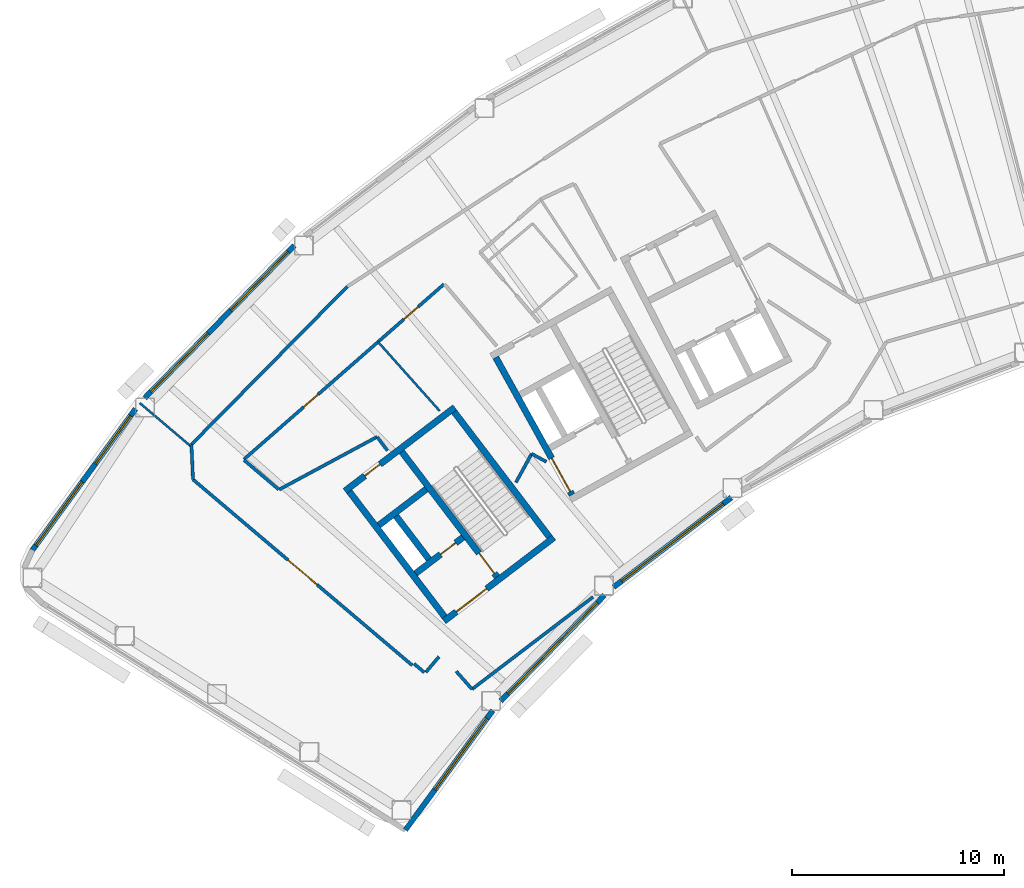
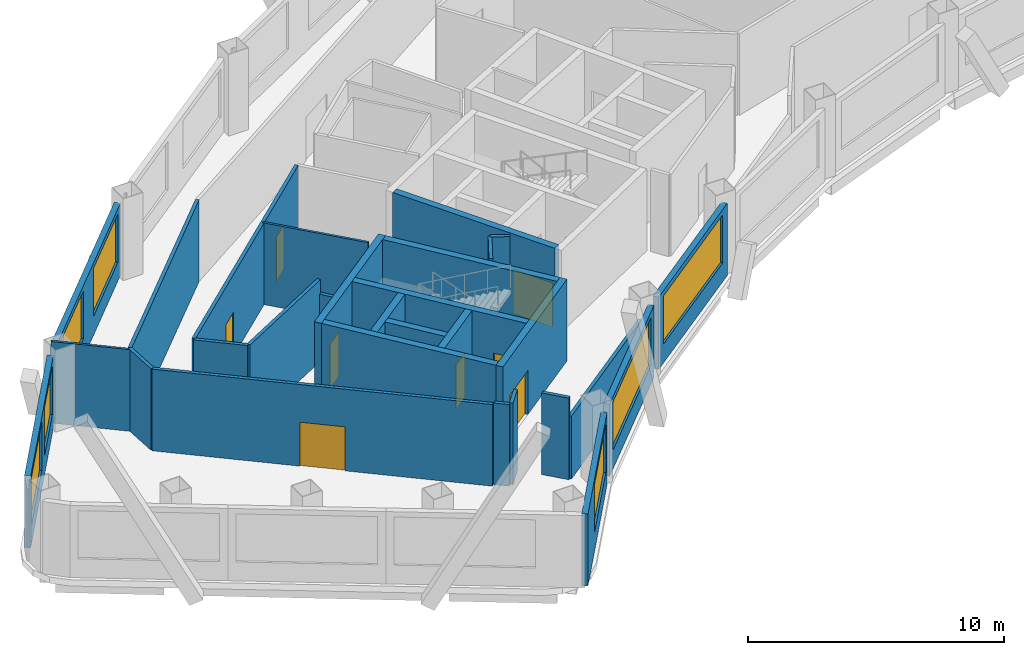
# One storey, part 5 of 14: 29 walls, 8 doors, 7 windows, 15 openings.
"""IFC4 building model written with IfcOpenShell, lengths in metres."""

from ifc_helpers import new_model, si_unit, direction, frame, frame_2d, origin, place, context, subcontext, project, spatial, rectangle, extrude, material, layer, layer_set, type_object, element, fill, save


model = new_model("IFC4")

# Units and contexts
model_context = context("Model", 3, precision=1e-05, world=origin(), true_north=direction((0.0, 1.0)))
body_context = subcontext(model_context, "Body", "Model", "MODEL_VIEW")
ifc_project = project(units=[si_unit("LENGTHUNIT", "METRE"), si_unit("AREAUNIT", "SQUARE_METRE"), si_unit("VOLUMEUNIT", "CUBIC_METRE"), si_unit("PLANEANGLEUNIT", "RADIAN"), si_unit("MASSUNIT", "GRAM", prefix="KILO")], contexts=[model_context])

# Site, building, storey
site_placement = place(None, origin())
site = spatial("IfcSite", under=ifc_project, at=site_placement, CompositionType="ELEMENT")
building_placement = place(site_placement, origin())
building = spatial("IfcBuilding", under=site, at=building_placement, Name="Tuul Gate Civic Tower", CompositionType="ELEMENT")
storey_placement = place(building_placement, frame((0.0, 0.0, 217.89990234375)))
storey = spatial("IfcBuildingStorey", under=building, at=storey_placement, Name="Level 49", CompositionType="ELEMENT", Elevation=217.89990234375)

# Wall, opening, door
ifc_material_1 = material(Name="Concrete C50/60", Category="concrete")
ifc_layer_1 = layer(ifc_material_1, 0.300048828125)
ifc_layer_set_1 = layer_set([ifc_layer_1], Name="Concrete C50/60")
wall_type_1 = type_object("IfcWallType", Name="Core wall C50/60", PredefinedType="SHEAR", material=ifc_layer_set_1)
wall_1_placement = place(storey_placement, frame((-31.19091796875, -13.669677734375, 0.0), z_axis=(0.0, 0.0, 1.0), x_axis=(-0.795606717756, -0.605813461934, 0.0)))
wall_1 = element("IfcWall", 1, at=wall_1_placement, inside=storey, type_object=wall_type_1, Name="Core wall", PredefinedType="SHEAR", context=body_context, shape_type="SweptSolid", body=[
    extrude(rectangle(XDim=6.5, YDim=0.300048828125, at=frame_2d((3.25, 0.0))), origin(), (0.0, 0.0, 1.0), 3.900146484375),
])
opening_1_placement = place(wall_1_placement, frame((3.97509765625, 0.0, 0.0)))
opening_1 = element("IfcOpeningElement", 2, at=opening_1_placement, cuts=wall_1, Name="Opening LB-W1-LOBBY-1", PredefinedType="OPENING", context=body_context, shape_type="SweptSolid", body=[
    extrude(rectangle(XDim=1.800048828125, YDim=2.10009765625, at=frame_2d((0.89990234375, 1.050048828125))), frame((0.0, 0.16015625, 0.0), z_axis=(0.0, -1.0, 0.0), x_axis=(1.0, 0.0, 0.0)), (0.0, 0.0, 1.0), 0.320068359375),
])
ifc_material_2 = material(Name="Steel", Category="steel")
door_type_1 = type_object("IfcDoorType", Name="Lobby door", OperationType="DOUBLE_DOOR_SINGLE_SWING", PredefinedType="DOOR", material=ifc_material_2)
door_1_placement = place(opening_1_placement, origin())
door_1 = element("IfcDoor", 3, at=door_1_placement, inside=storey, type_object=door_type_1, Name="Lobby door W1-LOBBY", OperationType="DOUBLE_DOOR_SINGLE_SWING", OverallHeight=2.10009765625, OverallWidth=1.800048828125, PredefinedType="DOOR", context=body_context, shape_type="SweptSolid", body=[
    extrude(rectangle(XDim=1.800048828125, YDim=2.10009765625, at=frame_2d((0.89990234375, 1.050048828125))), frame((0.0, 0.02490234375, 0.0), z_axis=(0.0, -1.0, 0.0), x_axis=(1.0, 0.0, 0.0)), (0.0, 0.0, 1.0), 0.050048828125),
])
fill(opening_1, door_1)

wall_2_placement = place(storey_placement, frame((-35.470947265625, -13.66064453125, 0.0), z_axis=(0.0, 0.0, 1.0), x_axis=(-0.795615822227, -0.605801504968, 0.0)))
wall_2 = element("IfcWall", 4, at=wall_2_placement, inside=storey, type_object=wall_type_1, Name="Core wall", PredefinedType="SHEAR", context=body_context, shape_type="SweptSolid", body=[
    extrude(rectangle(XDim=2.800048828125, YDim=0.300048828125, at=frame_2d((1.39990234375, 0.0))), origin(), (0.0, 0.0, 1.0), 3.900146484375),
])
opening_2_placement = place(wall_2_placement, frame((0.425048828125, 0.0, 0.0)))
opening_2 = element("IfcOpeningElement", 5, at=opening_2_placement, cuts=wall_2, Name="Opening FB-W1A1", PredefinedType="OPENING", context=body_context, shape_type="SweptSolid", body=[
    extrude(rectangle(XDim=0.89990234375, YDim=2.10009765625, at=frame_2d((0.449951171875, 1.050048828125))), frame((0.0, 0.16015625, 0.0), z_axis=(0.0, -1.0, 0.0), x_axis=(1.0, 0.0, 0.0)), (0.0, 0.0, 1.0), 0.320068359375),
])
ifc_material_3 = material(Name="Steel", Category="steel")
door_type_2 = type_object("IfcDoorType", Name="Store door", OperationType="NOTDEFINED", PredefinedType="DOOR", material=ifc_material_3)
door_2_placement = place(opening_2_placement, frame((0.89990234375, 0.0, 0.0), z_axis=(0.0, 0.0, 1.0), x_axis=(-1.0, 0.0, 0.0)))
door_2 = element("IfcDoor", 6, at=door_2_placement, inside=storey, type_object=door_type_2, Name="Store door W1A1", OperationType="SINGLE_SWING_RIGHT", OverallHeight=2.10009765625, OverallWidth=0.89990234375, PredefinedType="DOOR", context=body_context, shape_type="SweptSolid", body=[
    extrude(rectangle(XDim=0.89990234375, YDim=2.10009765625, at=frame_2d((0.449951171875, 1.050048828125))), frame((0.0, 0.02490234375, 0.0), z_axis=(0.0, -1.0, 0.0), x_axis=(1.0, 0.0, 0.0)), (0.0, 0.0, 1.0), 0.050048828125),
])
fill(opening_2, door_2)

# Wall
wall_3_placement = place(storey_placement, frame((-37.197509765625, -11.39306640625, 0.0), z_axis=(0.0, 0.0, 1.0), x_axis=(-0.795583820278, -0.605843531707, 0.0)))
element("IfcWall", 7, at=wall_3_placement, inside=storey, type_object=wall_type_1, Name="Core wall", PredefinedType="SHEAR", context=body_context, shape_type="SweptSolid", body=[
    extrude(rectangle(XDim=2.7998046875, YDim=0.300048828125, at=frame_2d((1.39990234375, 0.0))), origin(), (0.0, 0.0, 1.0), 3.900146484375),
])

# Wall, opening, door
wall_4_placement = place(storey_placement, frame((-35.855224609375, -7.543212890625, 0.0), z_axis=(0.0, 0.0, 1.0), x_axis=(-0.79563860527, -0.605771582202, 0.0)))
wall_4 = element("IfcWall", 8, at=wall_4_placement, inside=storey, type_object=wall_type_1, Name="Core wall", PredefinedType="SHEAR", context=body_context, shape_type="SweptSolid", body=[
    extrude(rectangle(XDim=6.5, YDim=0.300048828125, at=frame_2d((3.25, 0.0))), origin(), (0.0, 0.0, 1.0), 3.900146484375),
])
opening_3_placement = place(wall_4_placement, frame((4.425048828125, 0.0, 0.0)))
opening_3 = element("IfcOpeningElement", 9, at=opening_3_placement, cuts=wall_4, Name="Opening R-D43", PredefinedType="OPENING", context=body_context, shape_type="SweptSolid", body=[
    extrude(rectangle(XDim=0.89990234375, YDim=2.10009765625, at=frame_2d((0.449951171875, 1.050048828125))), frame((0.0, 0.16015625, 0.0), z_axis=(0.0, -1.0, 0.0), x_axis=(1.0, 0.0, 0.0)), (0.0, 0.0, 1.0), 0.320068359375),
])
ifc_material_4 = material(Name="Timber door leaf", Category="wood")
door_type_3 = type_object("IfcDoorType", Name="Door D09", OperationType="NOTDEFINED", PredefinedType="DOOR", material=ifc_material_4)
door_3_placement = place(opening_3_placement, origin())
door_3 = element("IfcDoor", 10, at=door_3_placement, inside=storey, type_object=door_type_3, Name="Door R-D43", OperationType="SINGLE_SWING_LEFT", OverallHeight=2.10009765625, OverallWidth=0.89990234375, PredefinedType="DOOR", context=body_context, shape_type="SweptSolid", body=[
    extrude(rectangle(XDim=0.89990234375, YDim=2.10009765625, at=frame_2d((0.449951171875, 1.050048828125))), frame((0.0, 0.02490234375, 0.0), z_axis=(0.0, -1.0, 0.0), x_axis=(1.0, 0.0, 0.0)), (0.0, 0.0, 1.0), 0.050048828125),
])
fill(opening_3, door_3)

# Wall
wall_5_placement = place(storey_placement, frame((-31.401123046875, -13.64111328125, 0.0), z_axis=(0.0, 0.0, 1.0), x_axis=(-0.605769822278, 0.795639945213, 0.0)))
element("IfcWall", 11, at=wall_5_placement, inside=storey, type_object=wall_type_1, Name="Core wall", PredefinedType="SHEAR", context=body_context, shape_type="SweptSolid", body=[
    extrude(rectangle(XDim=7.39990234375, YDim=0.300048828125, at=frame_2d((3.699951171875, 0.0))), origin(), (0.0, 0.0, 1.0), 3.900146484375),
])

# Wall, opening, door
wall_6_placement = place(storey_placement, frame((-33.867431640625, -15.51904296875, 0.0), z_axis=(0.0, 0.0, 1.0), x_axis=(-0.605769822278, 0.795639945213, 0.0)))
wall_6 = element("IfcWall", 12, at=wall_6_placement, inside=storey, type_object=wall_type_1, Name="Core wall", PredefinedType="SHEAR", context=body_context, shape_type="SweptSolid", body=[
    extrude(rectangle(XDim=7.39990234375, YDim=0.300048828125, at=frame_2d((3.699951171875, 0.0))), origin(), (0.0, 0.0, 1.0), 3.900146484375),
])
opening_4_placement = place(wall_6_placement, frame((0.199951171875, 0.0, 0.0)))
opening_4 = element("IfcOpeningElement", 13, at=opening_4_placement, cuts=wall_6, Name="Opening SD-ST-1", PredefinedType="OPENING", context=body_context, shape_type="SweptSolid", body=[
    extrude(rectangle(XDim=1.199951171875, YDim=2.10009765625, at=frame_2d((0.60009765625, 1.050048828125))), frame((0.0, 0.16015625, 0.0), z_axis=(0.0, -1.0, 0.0), x_axis=(1.0, 0.0, 0.0)), (0.0, 0.0, 1.0), 0.320068359375),
])
ifc_material_5 = material(Name="Steel", Category="steel")
door_type_4 = type_object("IfcDoorType", Name="Stair door", OperationType="NOTDEFINED", PredefinedType="DOOR", material=ifc_material_5)
door_4_placement = place(opening_4_placement, origin())
door_4 = element("IfcDoor", 14, at=door_4_placement, inside=storey, type_object=door_type_4, Name="Stair door ST-1", OperationType="SINGLE_SWING_LEFT", OverallHeight=2.10009765625, OverallWidth=1.199951171875, PredefinedType="DOOR", context=body_context, shape_type="SweptSolid", body=[
    extrude(rectangle(XDim=1.199951171875, YDim=2.10009765625, at=frame_2d((0.60009765625, 1.050048828125))), frame((0.0, 0.02490234375, 0.0), z_axis=(0.0, -1.0, 0.0), x_axis=(1.0, 0.0, 0.0)), (0.0, 0.0, 1.0), 0.050048828125),
])
fill(opening_4, door_4)

# Walls
wall_7_placement = place(storey_placement, frame((-37.073486328125, -14.6923828125, 0.0), z_axis=(0.0, 0.0, 1.0), x_axis=(-0.605728760074, 0.79567120673, 0.0)))
element("IfcWall", 15, at=wall_7_placement, inside=storey, type_object=wall_type_1, Name="Core wall", PredefinedType="SHEAR", context=body_context, shape_type="SweptSolid", body=[
    extrude(rectangle(XDim=2.550048828125, YDim=0.300048828125, at=frame_2d((1.27490234375, 0.0))), origin(), (0.0, 0.0, 1.0), 3.900146484375),
])
wall_8_placement = place(storey_placement, frame((-36.333984375, -17.397216796875, 0.0), z_axis=(0.0, 0.0, 1.0), x_axis=(-0.605753921168, 0.795652051458, 0.0)))
element("IfcWall", 16, at=wall_8_placement, inside=storey, type_object=wall_type_1, Name="Core wall", PredefinedType="SHEAR", context=body_context, shape_type="SweptSolid", body=[
    extrude(rectangle(XDim=7.400146484375, YDim=0.300048828125, at=frame_2d((3.7001953125, 0.0))), origin(), (0.0, 0.0, 1.0), 3.900146484375),
])

# Wall, opening, door
wall_9_placement = place(storey_placement, frame((-30.33837890625, -11.6630859375, 0.0), z_axis=(0.0, 0.0, 1.0), x_axis=(-0.484751894226, 0.874651702704, 0.0)))
wall_9 = element("IfcWall", 17, at=wall_9_placement, inside=storey, type_object=wall_type_1, Name="Core wall", PredefinedType="SHEAR", context=body_context, shape_type="SweptSolid", body=[
    extrude(rectangle(XDim=7.39990234375, YDim=0.300048828125, at=frame_2d((3.699951171875, 0.0))), origin(), (0.0, 0.0, 1.0), 3.900146484375),
])
opening_5_placement = place(wall_9_placement, frame((0.175048828125, 0.0, 0.0)))
opening_5 = element("IfcOpeningElement", 18, at=opening_5_placement, cuts=wall_9, Name="Opening LB-W2-FLOBBY-1", PredefinedType="OPENING", context=body_context, shape_type="SweptSolid", body=[
    extrude(rectangle(XDim=1.800048828125, YDim=2.10009765625, at=frame_2d((0.89990234375, 1.050048828125))), frame((0.0, 0.16015625, 0.0), z_axis=(0.0, -1.0, 0.0), x_axis=(1.0, 0.0, 0.0)), (0.0, 0.0, 1.0), 0.320068359375),
])
door_5_placement = place(opening_5_placement, frame((1.800048828125, 0.0, 0.0), z_axis=(0.0, 0.0, 1.0), x_axis=(-1.0, 0.0, 0.0)))
door_5 = element("IfcDoor", 19, at=door_5_placement, inside=storey, type_object=door_type_1, Name="Lobby door W2-FLOBBY", OperationType="DOUBLE_DOOR_SINGLE_SWING", OverallHeight=2.10009765625, OverallWidth=1.800048828125, PredefinedType="DOOR", context=body_context, shape_type="SweptSolid", body=[
    extrude(rectangle(XDim=1.800048828125, YDim=2.10009765625, at=frame_2d((0.900146484375, 1.050048828125))), frame((0.0, 0.02490234375, 0.0), z_axis=(0.0, -1.0, 0.0), x_axis=(1.0, 0.0, 0.0)), (0.0, 0.0, 1.0), 0.050048828125),
])
fill(opening_5, door_5)

# Walls
ifc_material_6 = material(Name="Gypsum board partition")
ifc_layer_2 = layer(ifc_material_6, 0.14990234375)
ifc_layer_set_2 = layer_set([ifc_layer_2], Name="Gypsum board partition")
wall_type_2 = type_object("IfcWallType", Name="Corridor wall P150", PredefinedType="PARTITIONING", material=ifc_layer_set_2)
wall_10_placement = place(storey_placement, frame((-48.25, -9.288330078125, 0.0), z_axis=(0.0, 0.0, 1.0), x_axis=(0.044380927641, -0.999014681204, 0.0)))
element("IfcWall", 20, at=wall_10_placement, inside=storey, type_object=wall_type_2, Name="p016", PredefinedType="PARTITIONING", context=body_context, shape_type="SweptSolid", body=[
    extrude(rectangle(XDim=1.650390625, YDim=0.14990234375, at=frame_2d((0.8251953125, 0.0))), origin(), (0.0, 0.0, 1.0), 3.900146484375),
])
wall_11_placement = place(storey_placement, frame((-48.25, -9.288330078125, 0.0), z_axis=(0.0, 0.0, 1.0), x_axis=(0.702545510934, 0.711638816442, 0.0)))
element("IfcWall", 21, at=wall_11_placement, inside=storey, type_object=wall_type_2, Name="p017", PredefinedType="PARTITIONING", context=body_context, shape_type="SweptSolid", body=[
    extrude(rectangle(XDim=10.444091796875, YDim=0.14990234375, at=frame_2d((5.22216796875, 0.0))), origin(), (0.0, 0.0, 1.0), 3.900146484375),
])

# Wall, opening, door
wall_12_placement = place(storey_placement, frame((-48.1767578125, -10.93701171875, 0.0), z_axis=(0.0, 0.0, 1.0), x_axis=(0.762830456402, -0.646598557673, 0.0)))
wall_12 = element("IfcWall", 22, at=wall_12_placement, inside=storey, type_object=wall_type_2, Name="p018", PredefinedType="PARTITIONING", context=body_context, shape_type="SweptSolid", body=[
    extrude(rectangle(XDim=13.535400390625, YDim=0.14990234375, at=frame_2d((6.767578125, 0.0))), origin(), (0.0, 0.0, 1.0), 3.900146484375),
])
opening_6_placement = place(wall_12_placement, frame((5.86767578125, 0.0, 0.0)))
opening_6 = element("IfcOpeningElement", 23, at=opening_6_placement, cuts=wall_12, Name="Opening R-D06", PredefinedType="OPENING", context=body_context, shape_type="SweptSolid", body=[
    extrude(rectangle(XDim=1.800048828125, YDim=2.10009765625, at=frame_2d((0.89990234375, 1.050048828125))), frame((0.0, 0.0849609375, 0.0), z_axis=(0.0, -1.0, 0.0), x_axis=(1.0, 0.0, 0.0)), (0.0, 0.0, 1.0), 0.169921875),
])
ifc_material_7 = material(Name="Timber door leaf, double", Category="wood")
door_type_5 = type_object("IfcDoorType", Name="Door D18", OperationType="DOUBLE_DOOR_SINGLE_SWING", PredefinedType="DOOR", material=ifc_material_7)
door_6_placement = place(opening_6_placement, frame((1.800048828125, 0.0, 0.0), z_axis=(0.0, 0.0, 1.0), x_axis=(-1.0, 0.0, 0.0)))
door_6 = element("IfcDoor", 24, at=door_6_placement, inside=storey, type_object=door_type_5, Name="Door R-D06", OperationType="DOUBLE_DOOR_SINGLE_SWING", OverallHeight=2.10009765625, OverallWidth=1.800048828125, PredefinedType="DOOR", context=body_context, shape_type="SweptSolid", body=[
    extrude(rectangle(XDim=1.800048828125, YDim=2.10009765625, at=frame_2d((0.900146484375, 1.050048828125))), frame((0.0, 0.02490234375, 0.0), z_axis=(0.0, -1.0, 0.0), x_axis=(1.0, 0.0, 0.0)), (0.0, 0.0, 1.0), 0.050048828125),
])
fill(opening_6, door_6)

# Walls
wall_13_placement = place(storey_placement, frame((-37.766845703125, -19.61376953125, 0.0), z_axis=(0.0, 0.0, 1.0), x_axis=(0.763430719957, -0.645889724199, 0.0)))
element("IfcWall", 25, at=wall_13_placement, inside=storey, type_object=wall_type_2, Name="p019", PredefinedType="PARTITIONING", context=body_context, shape_type="SweptSolid", body=[
    extrude(rectangle(XDim=0.625244140625, YDim=0.14990234375, at=frame_2d((0.3125, 0.0))), origin(), (0.0, 0.0, 1.0), 3.900146484375),
])
wall_14_placement = place(storey_placement, frame((-37.218994140625, -20.011962890625, 0.0), z_axis=(0.0, 0.0, 1.0), x_axis=(0.646624288819, 0.762808645146, 0.0)))
element("IfcWall", 26, at=wall_14_placement, inside=storey, type_object=wall_type_2, Name="p020", PredefinedType="PARTITIONING", context=body_context, shape_type="SweptSolid", body=[
    extrude(rectangle(XDim=0.96240234375, YDim=0.14990234375, at=frame_2d((0.481201171875, 0.0))), origin(), (0.0, 0.0, 1.0), 3.900146484375),
])
wall_15_placement = place(storey_placement, frame((-35.78564453125, -19.965087890625, 0.0), z_axis=(0.0, 0.0, 1.0), x_axis=(0.661219615112, -0.750192389052, 0.0)))
element("IfcWall", 27, at=wall_15_placement, inside=storey, type_object=wall_type_2, Name="p021", PredefinedType="PARTITIONING", context=body_context, shape_type="SweptSolid", body=[
    extrude(rectangle(XDim=1.125, YDim=0.14990234375, at=frame_2d((0.5625, 0.0))), origin(), (0.0, 0.0, 1.0), 3.900146484375),
])

# Wall, openings, doors
wall_16_placement = place(storey_placement, frame((-45.7783203125, -9.98974609375, 0.0), z_axis=(0.0, 0.0, 1.0), x_axis=(0.752261162007, 0.65886504243, 0.0)))
wall_16 = element("IfcWall", 28, at=wall_16_placement, inside=storey, type_object=wall_type_2, Name="p090", PredefinedType="PARTITIONING", context=body_context, shape_type="SweptSolid", body=[
    extrude(rectangle(XDim=12.513427734375, YDim=0.14990234375, at=frame_2d((6.2568359375, 0.0))), origin(), (0.0, 0.0, 1.0), 3.900146484375),
])
opening_7_placement = place(wall_16_placement, frame((10.002685546875, 0.0, 0.0)))
opening_7 = element("IfcOpeningElement", 29, at=opening_7_placement, cuts=wall_16, Name="Opening R-D36", PredefinedType="OPENING", context=body_context, shape_type="SweptSolid", body=[
    extrude(rectangle(XDim=0.89990234375, YDim=2.10009765625, at=frame_2d((0.449951171875, 1.050048828125))), frame((0.0, 0.0849609375, 0.0), z_axis=(0.0, -1.0, 0.0), x_axis=(1.0, 0.0, 0.0)), (0.0, 0.0, 1.0), 0.169921875),
])
opening_8_placement = place(wall_16_placement, frame((3.745849609375, 0.0, 0.0)))
opening_8 = element("IfcOpeningElement", 30, at=opening_8_placement, cuts=wall_16, Name="Opening R-D37", PredefinedType="OPENING", context=body_context, shape_type="SweptSolid", body=[
    extrude(rectangle(XDim=0.89990234375, YDim=2.10009765625, at=frame_2d((0.449951171875, 1.050048828125))), frame((0.0, 0.0849609375, 0.0), z_axis=(0.0, -1.0, 0.0), x_axis=(1.0, 0.0, 0.0)), (0.0, 0.0, 1.0), 0.169921875),
])
door_7_placement = place(opening_7_placement, frame((0.89990234375, 0.0, 0.0), z_axis=(0.0, 0.0, 1.0), x_axis=(-1.0, 0.0, 0.0)))
door_7 = element("IfcDoor", 31, at=door_7_placement, inside=storey, type_object=door_type_3, Name="Door R-D36", OperationType="SINGLE_SWING_LEFT", OverallHeight=2.10009765625, OverallWidth=0.89990234375, PredefinedType="DOOR", context=body_context, shape_type="SweptSolid", body=[
    extrude(rectangle(XDim=0.89990234375, YDim=2.10009765625, at=frame_2d((0.449951171875, 1.050048828125))), frame((0.0, 0.02490234375, 0.0), z_axis=(0.0, -1.0, 0.0), x_axis=(1.0, 0.0, 0.0)), (0.0, 0.0, 1.0), 0.050048828125),
])
fill(opening_7, door_7)
door_8_placement = place(opening_8_placement, frame((0.89990234375, 0.0, 0.0), z_axis=(0.0, 0.0, 1.0), x_axis=(-1.0, 0.0, 0.0)))
door_8 = element("IfcDoor", 32, at=door_8_placement, inside=storey, type_object=door_type_3, Name="Door R-D37", OperationType="SINGLE_SWING_LEFT", OverallHeight=2.10009765625, OverallWidth=0.89990234375, PredefinedType="DOOR", context=body_context, shape_type="SweptSolid", body=[
    extrude(rectangle(XDim=0.89990234375, YDim=2.10009765625, at=frame_2d((0.449951171875, 1.050048828125))), frame((0.0, 0.02490234375, 0.0), z_axis=(0.0, -1.0, 0.0), x_axis=(1.0, 0.0, 0.0)), (0.0, 0.0, 1.0), 0.050048828125),
])
fill(opening_8, door_8)

# Walls
wall_17_placement = place(storey_placement, frame((-32.236083984375, -9.727294921875, 0.0), z_axis=(0.0, 0.0, 1.0), x_axis=(0.877208093976, -0.480110362169, 0.0)))
element("IfcWall", 33, at=wall_17_placement, inside=storey, type_object=wall_type_2, Name="p103", PredefinedType="PARTITIONING", context=body_context, shape_type="SweptSolid", body=[
    extrude(rectangle(XDim=0.7880859375, YDim=0.14990234375, at=frame_2d((0.39404296875, 0.0))), origin(), (0.0, 0.0, 1.0), 3.900146484375),
])
wall_18_placement = place(storey_placement, frame((-32.9755859375, -11.076904296875, 0.0), z_axis=(0.0, 0.0, 1.0), x_axis=(0.479986062587, 0.87727611373, 0.0)))
element("IfcWall", 34, at=wall_18_placement, inside=storey, type_object=wall_type_2, Name="p104", PredefinedType="PARTITIONING", context=body_context, shape_type="SweptSolid", body=[
    extrude(rectangle(XDim=1.5380859375, YDim=0.14990234375, at=frame_2d((0.76904296875, 0.0))), origin(), (0.0, 0.0, 1.0), 3.900146484375),
])
wall_19_placement = place(storey_placement, frame((-44.117919921875, -11.41064453125, 0.0), z_axis=(0.0, 0.0, 1.0), x_axis=(0.88051006767, 0.474027447235, 0.0)))
element("IfcWall", 35, at=wall_19_placement, inside=storey, type_object=wall_type_2, Name="p106", PredefinedType="PARTITIONING", context=body_context, shape_type="SweptSolid", body=[
    extrude(rectangle(XDim=5.230224609375, YDim=0.14990234375, at=frame_2d((2.615234375, 0.0))), origin(), (0.0, 0.0, 1.0), 3.900146484375),
])
wall_20_placement = place(storey_placement, frame((-45.778076171875, -10.020751953125, 0.0), z_axis=(0.0, 0.0, 1.0), x_axis=(0.762850895928, -0.646574443186, 0.0)))
element("IfcWall", 36, at=wall_20_placement, inside=storey, type_object=wall_type_2, Name="p107", PredefinedType="PARTITIONING", context=body_context, shape_type="SweptSolid", body=[
    extrude(rectangle(XDim=2.145751953125, YDim=0.14990234375, at=frame_2d((1.07275390625, 0.0))), origin(), (0.0, 0.0, 1.0), 3.900146484375),
])
ifc_material_8 = material(Name="Gypsum board partition")
ifc_layer_3 = layer(ifc_material_8, 0.14990234375)
ifc_layer_set_3 = layer_set([ifc_layer_3], Name="Gypsum board partition")
wall_type_3 = type_object("IfcWallType", Name="Corridor wall P150 3000 HIGH", PredefinedType="PARTITIONING", material=ifc_layer_set_3)
wall_21_placement = place(storey_placement, frame((-35.041748046875, -20.80908203125, 0.0), z_axis=(0.0, 0.0, 1.0), x_axis=(0.795339331527, 0.606164456008, 0.0)))
element("IfcWall", 37, at=wall_21_placement, inside=storey, type_object=wall_type_3, Name="p022", PredefinedType="PARTITIONING", context=body_context, shape_type="SweptSolid", body=[
    extrude(rectangle(XDim=7.15869140625, YDim=0.14990234375, at=frame_2d((3.579345703125, 0.0))), origin(), (0.0, 0.0, 1.0), 3.0),
])
ifc_material_9 = material(Name="Gypsum board partition")
ifc_layer_4 = layer(ifc_material_9, 0.14990234375)
ifc_layer_set_4 = layer_set([ifc_layer_4], Name="Gypsum board partition")
wall_type_4 = type_object("IfcWallType", Name="Corridor wall P150 3250 HIGH", PredefinedType="PARTITIONING", material=ifc_layer_set_4)
wall_22_placement = place(storey_placement, frame((-39.51171875, -8.931640625, 0.0), z_axis=(0.0, 0.0, 1.0), x_axis=(0.606061384358, -0.795417876585, 0.0)))
element("IfcWall", 38, at=wall_22_placement, inside=storey, type_object=wall_type_4, Name="p105", PredefinedType="PARTITIONING", context=body_context, shape_type="SweptSolid", body=[
    extrude(rectangle(XDim=0.8095703125, YDim=0.14990234375, at=frame_2d((0.40478515625, 0.0))), origin(), (0.0, 0.0, 1.0), 3.25),
])

# Wall, openings, windows
ifc_material_10 = material(Name="Precast concrete C40/50", Category="concrete")
ifc_layer_5 = layer(ifc_material_10, 0.25)
ifc_layer_set_5 = layer_set([ifc_layer_5], Name="Precast concrete C40/50")
wall_type_5 = type_object("IfcWallType", Name="External wall", PredefinedType="STANDARD", material=ifc_layer_set_5)
wall_23_placement = place(storey_placement, frame((-43.407958984375, 0.079345703125, 0.0), z_axis=(0.0, 0.0, 1.0), x_axis=(-0.699992252886, -0.714150436463, 0.0)))
wall_23 = element("IfcWall", 39, at=wall_23_placement, inside=storey, type_object=wall_type_5, Name="External wall", PredefinedType="STANDARD", context=body_context, shape_type="SweptSolid", body=[
    extrude(rectangle(XDim=10.05322265625, YDim=0.25, at=frame_2d((5.026611328125, 0.0))), origin(), (0.0, 0.0, 1.0), 3.4501953125),
])
opening_9_placement = place(wall_23_placement, frame((0.416015625, 0.0, 0.89990234375)))
opening_9 = element("IfcOpeningElement", 40, at=opening_9_placement, cuts=wall_23, Name="Opening W22", PredefinedType="OPENING", context=body_context, shape_type="SweptSolid", body=[
    extrude(rectangle(XDim=3.85009765625, YDim=2.300048828125, at=frame_2d((1.925048828125, 1.14990234375))), frame((0.0, 0.135009765625, 0.0), z_axis=(0.0, -1.0, 0.0), x_axis=(1.0, 0.0, 0.0)), (0.0, 0.0, 1.0), 0.27001953125),
])
opening_10_placement = place(wall_23_placement, frame((5.78759765625, 0.0, 0.89990234375)))
opening_10 = element("IfcOpeningElement", 41, at=opening_10_placement, cuts=wall_23, Name="Opening W22", PredefinedType="OPENING", context=body_context, shape_type="SweptSolid", body=[
    extrude(rectangle(XDim=3.85009765625, YDim=2.300048828125, at=frame_2d((1.925048828125, 1.14990234375))), frame((0.0, 0.135009765625, 0.0), z_axis=(0.0, -1.0, 0.0), x_axis=(1.0, 0.0, 0.0)), (0.0, 0.0, 1.0), 0.27001953125),
])
ifc_material_11 = material(Name="Glass", Category="glass")
window_type_1 = type_object("IfcWindowType", Name="Window W22 3850 x 2300", PartitioningType="SINGLE_PANEL", PredefinedType="WINDOW", material=ifc_material_11)
window_1_placement = place(opening_9_placement, origin())
window_1 = element("IfcWindow", 42, at=window_1_placement, inside=storey, type_object=window_type_1, Name="Window", OverallHeight=2.300048828125, OverallWidth=3.85009765625, PartitioningType="SINGLE_PANEL", PredefinedType="WINDOW", context=body_context, shape_type="SweptSolid", body=[
    extrude(rectangle(XDim=3.85009765625, YDim=2.300048828125, at=frame_2d((1.925048828125, 1.14990234375))), frame((0.0, 0.030029296875, 0.0), z_axis=(0.0, -1.0, 0.0), x_axis=(1.0, 0.0, 0.0)), (0.0, 0.0, 1.0), 0.06005859375),
])
fill(opening_9, window_1)
window_2_placement = place(opening_10_placement, origin())
window_2 = element("IfcWindow", 43, at=window_2_placement, inside=storey, type_object=window_type_1, Name="Window", OverallHeight=2.300048828125, OverallWidth=3.85009765625, PartitioningType="SINGLE_PANEL", PredefinedType="WINDOW", context=body_context, shape_type="SweptSolid", body=[
    extrude(rectangle(XDim=3.85009765625, YDim=2.300048828125, at=frame_2d((1.925048828125, 1.14990234375))), frame((0.0, 0.030029296875, 0.0), z_axis=(0.0, -1.0, 0.0), x_axis=(1.0, 0.0, 0.0)), (0.0, 0.0, 1.0), 0.06005859375),
])
fill(opening_10, window_2)

wall_24_placement = place(storey_placement, frame((-50.882080078125, -7.615966796875, 0.0), z_axis=(0.0, 0.0, 1.0), x_axis=(-0.589874908102, -0.807494639482, 0.0)))
wall_24 = element("IfcWall", 44, at=wall_24_placement, inside=storey, type_object=wall_type_5, Name="External wall", PredefinedType="STANDARD", context=body_context, shape_type="SweptSolid", body=[
    extrude(rectangle(XDim=8.25244140625, YDim=0.25, at=frame_2d((4.126220703125, 0.0))), origin(), (0.0, 0.0, 1.0), 3.4501953125),
])
opening_11_placement = place(wall_24_placement, frame((0.39990234375, 0.0, 0.89990234375)))
opening_11 = element("IfcOpeningElement", 45, at=opening_11_placement, cuts=wall_24, Name="Opening W23", PredefinedType="OPENING", context=body_context, shape_type="SweptSolid", body=[
    extrude(rectangle(XDim=2.800048828125, YDim=2.300048828125, at=frame_2d((1.39990234375, 1.14990234375))), frame((0.0, 0.135009765625, 0.0), z_axis=(0.0, -1.0, 0.0), x_axis=(1.0, 0.0, 0.0)), (0.0, 0.0, 1.0), 0.27001953125),
])
opening_12_placement = place(wall_24_placement, frame((4.251708984375, 0.0, 0.89990234375)))
opening_12 = element("IfcOpeningElement", 46, at=opening_12_placement, cuts=wall_24, Name="Opening W21", PredefinedType="OPENING", context=body_context, shape_type="SweptSolid", body=[
    extrude(rectangle(XDim=3.699951171875, YDim=2.300048828125, at=frame_2d((1.85009765625, 1.14990234375))), frame((0.0, 0.135009765625, 0.0), z_axis=(0.0, -1.0, 0.0), x_axis=(1.0, 0.0, 0.0)), (0.0, 0.0, 1.0), 0.27001953125),
])
ifc_material_12 = material(Name="Glass", Category="glass")
window_type_2 = type_object("IfcWindowType", Name="Window W21 3700 x 2300", PartitioningType="SINGLE_PANEL", PredefinedType="WINDOW", material=ifc_material_12)
window_3_placement = place(opening_12_placement, origin())
window_3 = element("IfcWindow", 47, at=window_3_placement, inside=storey, type_object=window_type_2, Name="Window", OverallHeight=2.300048828125, OverallWidth=3.699951171875, PartitioningType="SINGLE_PANEL", PredefinedType="WINDOW", context=body_context, shape_type="SweptSolid", body=[
    extrude(rectangle(XDim=3.699951171875, YDim=2.300048828125, at=frame_2d((1.85009765625, 1.14990234375))), frame((0.0, 0.030029296875, 0.0), z_axis=(0.0, -1.0, 0.0), x_axis=(1.0, 0.0, 0.0)), (0.0, 0.0, 1.0), 0.06005859375),
])
fill(opening_12, window_3)
ifc_material_13 = material(Name="Glass", Category="glass")
window_type_3 = type_object("IfcWindowType", Name="Window W23 2800 x 2300", PartitioningType="SINGLE_PANEL", PredefinedType="WINDOW", material=ifc_material_13)
window_4_placement = place(opening_11_placement, origin())
window_4 = element("IfcWindow", 48, at=window_4_placement, inside=storey, type_object=window_type_3, Name="Window", OverallHeight=2.300048828125, OverallWidth=2.800048828125, PartitioningType="SINGLE_PANEL", PredefinedType="WINDOW", context=body_context, shape_type="SweptSolid", body=[
    extrude(rectangle(XDim=2.800048828125, YDim=2.300048828125, at=frame_2d((1.39990234375, 1.14990234375))), frame((0.0, 0.030029296875, 0.0), z_axis=(0.0, -1.0, 0.0), x_axis=(1.0, 0.0, 0.0)), (0.0, 0.0, 1.0), 0.06005859375),
])
fill(opening_11, window_4)

# Wall, opening, window
wall_25_placement = place(storey_placement, frame((-38.179931640625, -27.439208984375, 0.0), z_axis=(0.0, 0.0, 1.0), x_axis=(0.589873478547, 0.80749568377, 0.0)))
wall_25 = element("IfcWall", 49, at=wall_25_placement, inside=storey, type_object=wall_type_5, Name="External wall", PredefinedType="STANDARD", context=body_context, shape_type="SweptSolid", body=[
    extrude(rectangle(XDim=6.972412109375, YDim=0.25, at=frame_2d((3.486328125, 0.0))), origin(), (0.0, 0.0, 1.0), 3.4501953125),
])
opening_13_placement = place(wall_25_placement, frame((2.356689453125, 0.0, 0.89990234375)))
opening_13 = element("IfcOpeningElement", 50, at=opening_13_placement, cuts=wall_25, Name="Opening W25", PredefinedType="OPENING", context=body_context, shape_type="SweptSolid", body=[
    extrude(rectangle(XDim=4.14990234375, YDim=2.300048828125, at=frame_2d((2.074951171875, 1.14990234375))), frame((0.0, 0.135009765625, 0.0), z_axis=(0.0, -1.0, 0.0), x_axis=(1.0, 0.0, 0.0)), (0.0, 0.0, 1.0), 0.27001953125),
])
ifc_material_14 = material(Name="Glass", Category="glass")
window_type_4 = type_object("IfcWindowType", Name="Window W25 4150 x 2300", PartitioningType="SINGLE_PANEL", PredefinedType="WINDOW", material=ifc_material_14)
window_5_placement = place(opening_13_placement, origin())
window_5 = element("IfcWindow", 51, at=window_5_placement, inside=storey, type_object=window_type_4, Name="Window", OverallHeight=2.300048828125, OverallWidth=4.14990234375, PartitioningType="SINGLE_PANEL", PredefinedType="WINDOW", context=body_context, shape_type="SweptSolid", body=[
    extrude(rectangle(XDim=4.14990234375, YDim=2.300048828125, at=frame_2d((2.074951171875, 1.14990234375))), frame((0.0, 0.030029296875, 0.0), z_axis=(0.0, -1.0, 0.0), x_axis=(1.0, 0.0, 0.0)), (0.0, 0.0, 1.0), 0.06005859375),
])
fill(opening_13, window_5)

wall_26_placement = place(storey_placement, frame((-33.69091796875, -21.3642578125, 0.0), z_axis=(0.0, 0.0, 1.0), x_axis=(0.700029726531, 0.714113703813, 0.0)))
wall_26 = element("IfcWall", 52, at=wall_26_placement, inside=storey, type_object=wall_type_5, Name="External wall", PredefinedType="STANDARD", context=body_context, shape_type="SweptSolid", body=[
    extrude(rectangle(XDim=6.968505859375, YDim=0.25, at=frame_2d((3.484375, 0.0))), origin(), (0.0, 0.0, 1.0), 3.4501953125),
])
opening_14_placement = place(wall_26_placement, frame((0.484375, 0.0, 0.89990234375)))
opening_14 = element("IfcOpeningElement", 53, at=opening_14_placement, cuts=wall_26, Name="Opening W26", PredefinedType="OPENING", context=body_context, shape_type="SweptSolid", body=[
    extrude(rectangle(XDim=6.0, YDim=2.300048828125, at=frame_2d((3.0, 1.14990234375))), frame((0.0, 0.135009765625, 0.0), z_axis=(0.0, -1.0, 0.0), x_axis=(1.0, 0.0, 0.0)), (0.0, 0.0, 1.0), 0.27001953125),
])
ifc_material_15 = material(Name="Glass", Category="glass")
window_type_5 = type_object("IfcWindowType", Name="Window W26 6000 x 2300", PartitioningType="SINGLE_PANEL", PredefinedType="WINDOW", material=ifc_material_15)
window_6_placement = place(opening_14_placement, origin())
window_6 = element("IfcWindow", 54, at=window_6_placement, inside=storey, type_object=window_type_5, Name="Window", OverallHeight=2.300048828125, OverallWidth=6.0, PartitioningType="SINGLE_PANEL", PredefinedType="WINDOW", context=body_context, shape_type="SweptSolid", body=[
    extrude(rectangle(XDim=6.0, YDim=2.300048828125, at=frame_2d((3.0, 1.14990234375))), frame((0.0, 0.030029296875, 0.0), z_axis=(0.0, -1.0, 0.0), x_axis=(1.0, 0.0, 0.0)), (0.0, 0.0, 1.0), 0.06005859375),
])
fill(opening_14, window_6)

wall_27_placement = place(storey_placement, frame((-28.376953125, -16.00390625, 0.0), z_axis=(0.0, 0.0, 1.0), x_axis=(0.79557348273, 0.605857106566, 0.0)))
wall_27 = element("IfcWall", 55, at=wall_27_placement, inside=storey, type_object=wall_type_5, Name="External wall", PredefinedType="STANDARD", context=body_context, shape_type="SweptSolid", body=[
    extrude(rectangle(XDim=6.956787109375, YDim=0.25, at=frame_2d((3.478515625, 0.0))), origin(), (0.0, 0.0, 1.0), 3.4501953125),
])
opening_15_placement = place(wall_27_placement, frame((0.478271484375, 0.0, 0.89990234375)))
opening_15 = element("IfcOpeningElement", 56, at=opening_15_placement, cuts=wall_27, Name="Opening W26", PredefinedType="OPENING", context=body_context, shape_type="SweptSolid", body=[
    extrude(rectangle(XDim=6.0, YDim=2.300048828125, at=frame_2d((3.0, 1.14990234375))), frame((0.0, 0.135009765625, 0.0), z_axis=(0.0, -1.0, 0.0), x_axis=(1.0, 0.0, 0.0)), (0.0, 0.0, 1.0), 0.27001953125),
])
window_7_placement = place(opening_15_placement, origin())
window_7 = element("IfcWindow", 57, at=window_7_placement, inside=storey, type_object=window_type_5, Name="Window", OverallHeight=2.300048828125, OverallWidth=6.0, PartitioningType="SINGLE_PANEL", PredefinedType="WINDOW", context=body_context, shape_type="SweptSolid", body=[
    extrude(rectangle(XDim=6.0, YDim=2.300048828125, at=frame_2d((3.0, 1.14990234375))), frame((0.0, 0.030029296875, 0.0), z_axis=(0.0, -1.0, 0.0), x_axis=(1.0, 0.0, 0.0)), (0.0, 0.0, 1.0), 0.06005859375),
])
fill(opening_15, window_7)

# Walls
ifc_material_16 = material(Name="Gypsum board partition")
ifc_layer_6 = layer(ifc_material_16, 0.10009765625)
ifc_layer_set_6 = layer_set([ifc_layer_6], Name="Gypsum board partition")
wall_type_6 = type_object("IfcWallType", Name="Partition P100", PredefinedType="PARTITIONING", material=ifc_layer_set_6)
wall_28_placement = place(storey_placement, frame((-50.68408203125, -7.3369140625, 0.0), z_axis=(0.0, 0.0, 1.0), x_axis=(0.762818363758, -0.646612823808, 0.0)))
element("IfcWall", 58, at=wall_28_placement, inside=storey, type_object=wall_type_6, Name="p015", PredefinedType="PARTITIONING", context=body_context, shape_type="SweptSolid", body=[
    extrude(rectangle(XDim=3.197509765625, YDim=0.10009765625, at=frame_2d((1.5986328125, 0.0))), origin(), (0.0, 0.0, 1.0), 3.900146484375),
])
wall_29_placement = place(storey_placement, frame((-39.465576171875, -4.460693359375, 0.0), z_axis=(0.0, 0.0, 1.0), x_axis=(0.665897620158, -0.746043135125, 0.0)))
element("IfcWall", 59, at=wall_29_placement, inside=storey, type_object=wall_type_6, Name="p101", PredefinedType="PARTITIONING", context=body_context, shape_type="SweptSolid", body=[
    extrude(rectangle(XDim=4.35302734375, YDim=0.10009765625, at=frame_2d((2.176513671875, 0.0))), origin(), (0.0, 0.0, 1.0), 3.900146484375),
])

save(model, "model.ifc")
